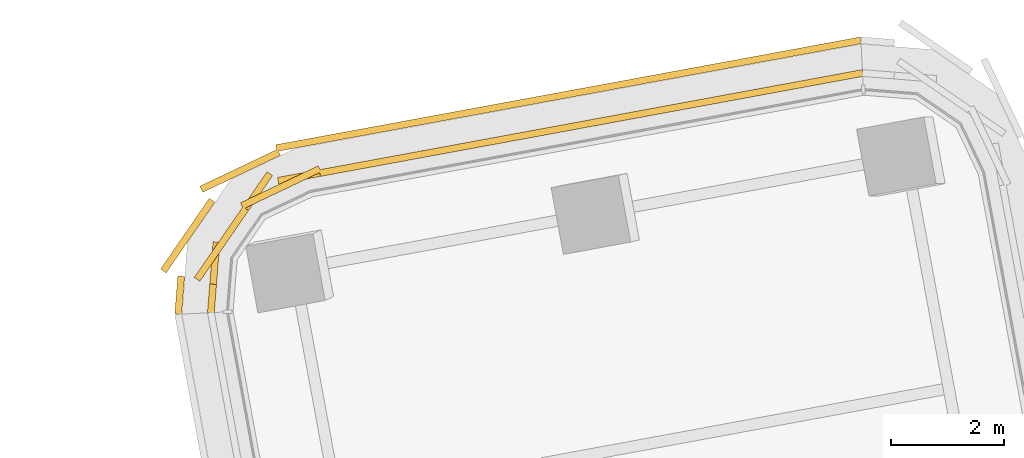
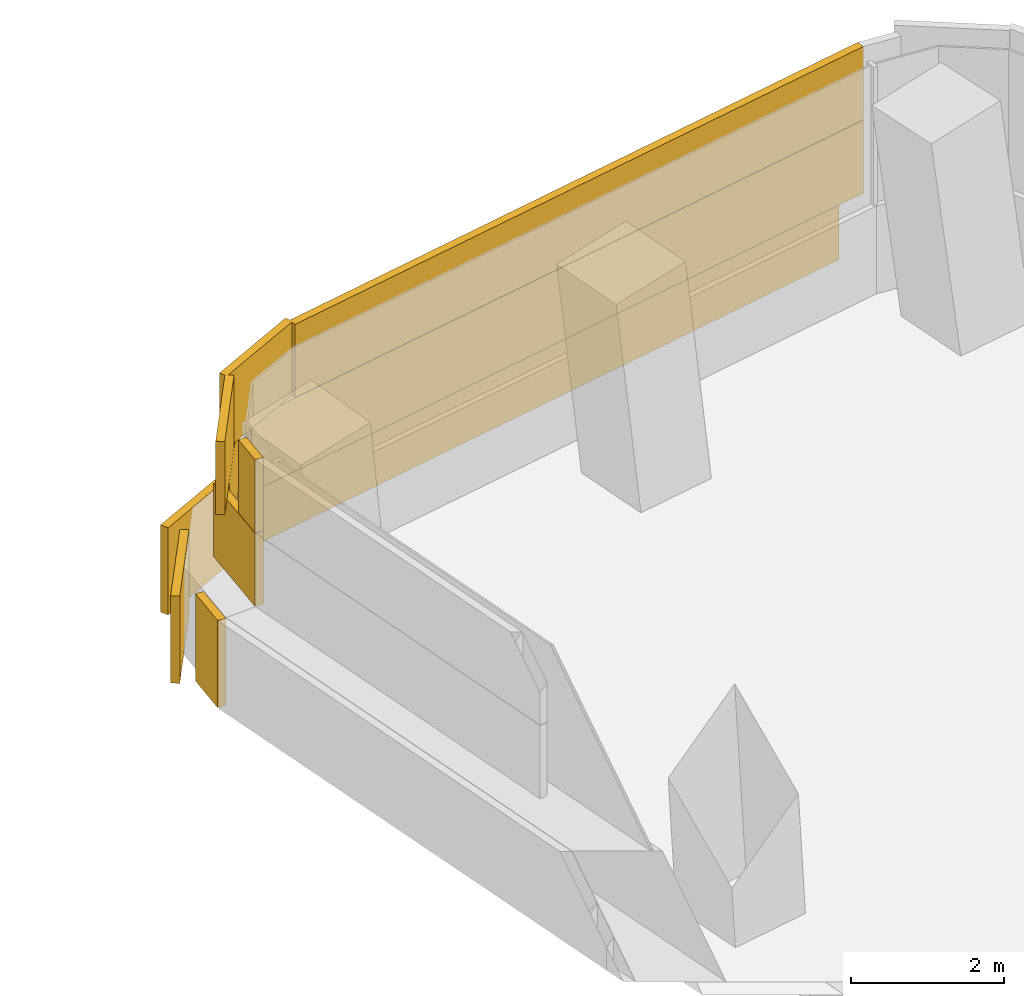
# One storey, part 33 of 33: 1 covering.
"""IFC4 building model written with IfcOpenShell, lengths in metres."""

from ifc_helpers import new_model, si_unit, direction, frame, origin, origin_2d, place, context, subcontext, project, spatial, rectangle, extrude, material, layer, layer_set, type_object, element, save


model = new_model("IFC4")

# Units and contexts
model_context = context("Model", 3, precision=1e-05, world=origin(), true_north=direction((0.0, 1.0)))
body_context = subcontext(model_context, "Body", "Model", "MODEL_VIEW")
ifc_project = project(units=[si_unit("LENGTHUNIT", "METRE"), si_unit("AREAUNIT", "SQUARE_METRE"), si_unit("VOLUMEUNIT", "CUBIC_METRE"), si_unit("PLANEANGLEUNIT", "RADIAN"), si_unit("MASSUNIT", "GRAM", prefix="KILO")], contexts=[model_context])

# Site, building, storey
site_placement = place(None, origin())
site = spatial("IfcSite", under=ifc_project, at=site_placement, CompositionType="ELEMENT")
building_placement = place(site_placement, origin())
building = spatial("IfcBuilding", under=site, at=building_placement, Name="Tamarind Cross Interchange Tower", CompositionType="ELEMENT")
storey_placement = place(building_placement, frame((0.0, 0.0, 71.5)))
storey = spatial("IfcBuildingStorey", under=building, at=storey_placement, Name="L16", CompositionType="ELEMENT", Elevation=71.5)

# Covering
ifc_material = material(Name="Terracotta", Category="masonry")
ifc_layer = layer(ifc_material, 0.1201171875)
ifc_layer_set = layer_set([ifc_layer], Name="Terracotta")
covering_type = type_object("IfcCoveringType", Name="Terracotta baguette screen unit", PredefinedType="MOLDING", material=ifc_layer_set)
covering_placement = place(storey_placement, origin())
element("IfcCovering", 1, at=covering_placement, inside=storey, type_object=covering_type, Name="SCR-L16-12-00", PredefinedType="MOLDING", context=body_context, shape_type="SweptSolid", body=[
    extrude(rectangle(XDim=1.510009765625, YDim=0.1201171875, at=origin_2d()), frame((-0.7470703125, 49.553466796875, 1.404052734375), z_axis=(0.0, 0.0, 1.0), x_axis=(-0.983419894311, -0.181343076715, 0.0)), (0.0, 0.0, 1.0), 1.1669921875),
    extrude(rectangle(XDim=1.52001953125, YDim=0.1201171875, at=origin_2d()), frame((-2.222412109375, 49.281494140625, 1.404052734375), z_axis=(0.0, 0.0, 1.0), x_axis=(-0.983419894311, -0.181343076715, 0.0)), (0.0, 0.0, 1.0), 1.1669921875),
    extrude(rectangle(XDim=1.52001953125, YDim=0.1201171875, at=origin_2d()), frame((-3.697509765625, 49.009521484375, 1.404052734375), z_axis=(0.0, 0.0, 1.0), x_axis=(-0.983419894311, -0.181343076715, 0.0)), (0.0, 0.0, 1.0), 1.1669921875),
    extrude(rectangle(XDim=1.52001953125, YDim=0.1201171875, at=origin_2d()), frame((-5.172607421875, 48.7373046875, 1.404052734375), z_axis=(0.0, 0.0, 1.0), x_axis=(-0.983419894311, -0.181343076715, 0.0)), (0.0, 0.0, 1.0), 1.1669921875),
    extrude(rectangle(XDim=1.52001953125, YDim=0.1201171875, at=origin_2d()), frame((-6.647705078125, 48.46533203125, 1.404052734375), z_axis=(0.0, 0.0, 1.0), x_axis=(-0.983419894311, -0.181343076715, 0.0)), (0.0, 0.0, 1.0), 1.1669921875),
    extrude(rectangle(XDim=1.52001953125, YDim=0.1201171875, at=origin_2d()), frame((-8.122802734375, 48.193359375, 1.404052734375), z_axis=(0.0, 0.0, 1.0), x_axis=(-0.983419894311, -0.181343076715, 0.0)), (0.0, 0.0, 1.0), 1.1669921875),
    extrude(rectangle(XDim=1.52001953125, YDim=0.1201171875, at=origin_2d()), frame((-9.597900390625, 47.92138671875, 1.404052734375), z_axis=(0.0, 0.0, 1.0), x_axis=(-0.983419894311, -0.181343076715, 0.0)), (0.0, 0.0, 1.0), 1.1669921875),
    extrude(rectangle(XDim=1.52001953125, YDim=0.1201171875, at=origin_2d()), frame((-10.92236328125, 47.28369140625, 1.404052734375), z_axis=(0.0, 0.0, 1.0), x_axis=(-0.567153956755, -0.823611795288, 0.0)), (0.0, 0.0, 1.0), 1.1669921875),
    extrude(rectangle(XDim=1.259521484375, YDim=0.1201171875, at=origin_2d()), frame((-11.484375, 46.073974609375, 1.404052734375), z_axis=(0.0, 0.0, 1.0), x_axis=(-0.079363836763, -0.996845715953, 0.0)), (0.0, 0.0, 1.0), 1.1669921875),
    extrude(rectangle(XDim=0.760009765625, YDim=0.1201171875, at=origin_2d()), frame((-0.37841796875, 49.62158203125, 2.5791015625), z_axis=(0.0, 0.0, 1.0), x_axis=(-0.983419894311, -0.181343076715, 0.0)), (0.0, 0.0, 1.0), 1.1669921875),
    extrude(rectangle(XDim=1.52001953125, YDim=0.1201171875, at=origin_2d()), frame((-1.484619140625, 49.41748046875, 2.5791015625), z_axis=(0.0, 0.0, 1.0), x_axis=(-0.983419894311, -0.181343076715, 0.0)), (0.0, 0.0, 1.0), 1.1669921875),
    extrude(rectangle(XDim=1.52001953125, YDim=0.1201171875, at=origin_2d()), frame((-2.9599609375, 49.1455078125, 2.5791015625), z_axis=(0.0, 0.0, 1.0), x_axis=(-0.983419894311, -0.181343076715, 0.0)), (0.0, 0.0, 1.0), 1.1669921875),
    extrude(rectangle(XDim=1.52001953125, YDim=0.1201171875, at=origin_2d()), frame((-4.43505859375, 48.87353515625, 2.5791015625), z_axis=(0.0, 0.0, 1.0), x_axis=(-0.983419894311, -0.181343076715, 0.0)), (0.0, 0.0, 1.0), 1.1669921875),
    extrude(rectangle(XDim=1.52001953125, YDim=0.1201171875, at=origin_2d()), frame((-5.91015625, 48.601318359375, 2.5791015625), z_axis=(0.0, 0.0, 1.0), x_axis=(-0.983419894311, -0.181343076715, 0.0)), (0.0, 0.0, 1.0), 1.1669921875),
    extrude(rectangle(XDim=1.52001953125, YDim=0.1201171875, at=origin_2d()), frame((-7.38525390625, 48.329345703125, 2.5791015625), z_axis=(0.0, 0.0, 1.0), x_axis=(-0.983419894311, -0.181343076715, 0.0)), (0.0, 0.0, 1.0), 1.1669921875),
    extrude(rectangle(XDim=1.52001953125, YDim=0.1201171875, at=origin_2d()), frame((-8.8603515625, 48.057373046875, 2.5791015625), z_axis=(0.0, 0.0, 1.0), x_axis=(-0.983419894311, -0.181343076715, 0.0)), (0.0, 0.0, 1.0), 1.1669921875),
    extrude(rectangle(XDim=1.52001953125, YDim=0.1201171875, at=origin_2d()), frame((-10.297119140625, 47.6669921875, 2.5791015625), z_axis=(0.0, 0.0, 1.0), x_axis=(-0.902975632051, -0.429691759198, 0.0)), (0.0, 0.0, 1.0), 1.1669921875),
    extrude(rectangle(XDim=1.52001953125, YDim=0.1201171875, at=origin_2d()), frame((-11.34765625, 46.666015625, 2.5791015625), z_axis=(0.0, 0.0, 1.0), x_axis=(-0.567153956755, -0.823611795288, 0.0)), (0.0, 0.0, 1.0), 1.1669921875),
    extrude(rectangle(XDim=0.509521484375, YDim=0.1201171875, at=origin_2d()), frame((-11.51416015625, 45.7001953125, 2.5791015625), z_axis=(0.0, 0.0, 1.0), x_axis=(-0.079363836763, -0.996845715953, 0.0)), (0.0, 0.0, 1.0), 1.1669921875),
    extrude(rectangle(XDim=1.510009765625, YDim=0.1201171875, at=origin_2d()), frame((-0.781982421875, 50.130859375, 0.00390625), z_axis=(0.0, 0.0, 1.0), x_axis=(-0.983419894311, -0.181343076715, 0.0)), (0.0, 0.0, 1.0), 1.39208984375),
    extrude(rectangle(XDim=1.52001953125, YDim=0.1201171875, at=origin_2d()), frame((-2.251953125, 49.859619140625, 0.00390625), z_axis=(0.0, 0.0, 1.0), x_axis=(-0.983419894311, -0.181343076715, 0.0)), (0.0, 0.0, 1.0), 1.39208984375),
    extrude(rectangle(XDim=1.52001953125, YDim=0.1201171875, at=origin_2d()), frame((-3.727294921875, 49.587646484375, 0.00390625), z_axis=(0.0, 0.0, 1.0), x_axis=(-0.983419894311, -0.181343076715, 0.0)), (0.0, 0.0, 1.0), 1.39208984375),
    extrude(rectangle(XDim=1.52001953125, YDim=0.1201171875, at=origin_2d()), frame((-5.202392578125, 49.315673828125, 0.00390625), z_axis=(0.0, 0.0, 1.0), x_axis=(-0.983419894311, -0.181343076715, 0.0)), (0.0, 0.0, 1.0), 1.39208984375),
    extrude(rectangle(XDim=1.52001953125, YDim=0.1201171875, at=origin_2d()), frame((-6.677490234375, 49.043701171875, 0.00390625), z_axis=(0.0, 0.0, 1.0), x_axis=(-0.983419894311, -0.181343076715, 0.0)), (0.0, 0.0, 1.0), 1.39208984375),
    extrude(rectangle(XDim=1.52001953125, YDim=0.1201171875, at=origin_2d()), frame((-8.152587890625, 48.771484375, 0.00390625), z_axis=(0.0, 0.0, 1.0), x_axis=(-0.983419894311, -0.181343076715, 0.0)), (0.0, 0.0, 1.0), 1.39208984375),
    extrude(rectangle(XDim=1.52001953125, YDim=0.1201171875, at=origin_2d()), frame((-9.627685546875, 48.49951171875, 0.00390625), z_axis=(0.0, 0.0, 1.0), x_axis=(-0.983419894311, -0.181343076715, 0.0)), (0.0, 0.0, 1.0), 1.39208984375),
    extrude(rectangle(XDim=1.52001953125, YDim=0.1201171875, at=origin_2d()), frame((-11.016357421875, 47.96044921875, 0.00390625), z_axis=(0.0, 0.0, 1.0), x_axis=(-0.902975632051, -0.429691759198, 0.0)), (0.0, 0.0, 1.0), 1.39208984375),
    extrude(rectangle(XDim=1.52001953125, YDim=0.1201171875, at=origin_2d()), frame((-11.94287109375, 46.81396484375, 0.00390625), z_axis=(0.0, 0.0, 1.0), x_axis=(-0.567153956755, -0.823611795288, 0.0)), (0.0, 0.0, 1.0), 1.39208984375),
    extrude(rectangle(XDim=0.6767578125, YDim=0.1201171875, at=origin_2d()), frame((-12.085205078125, 45.759033203125, 0.00390625), z_axis=(0.0, 0.0, 1.0), x_axis=(-0.079363836763, -0.996845715953, 0.0)), (0.0, 0.0, 1.0), 1.39208984375),
])

save(model, "model.ifc")
